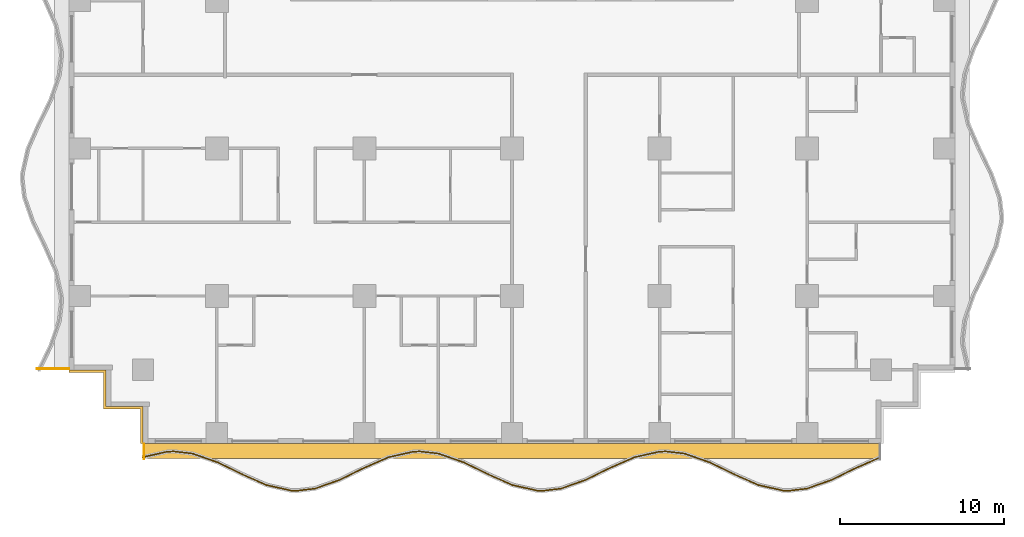
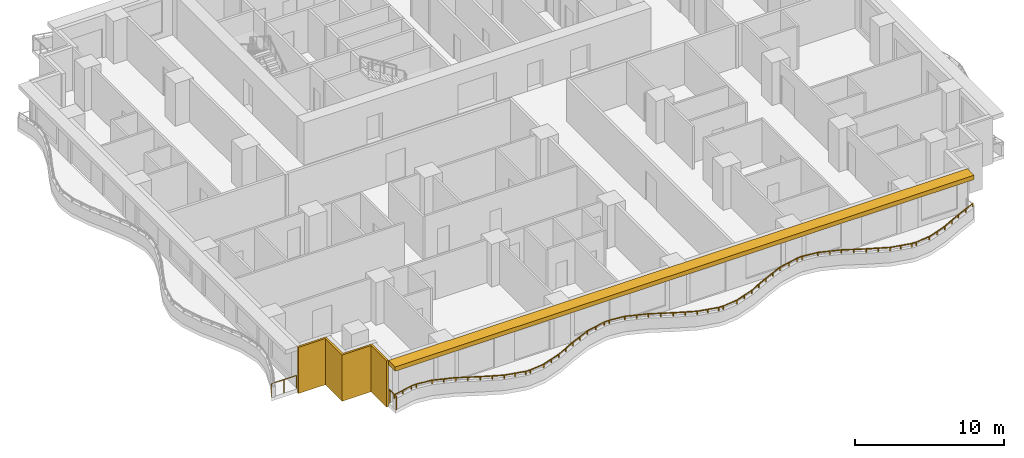
# One storey, part 7 of 13: 3 railings, 2 shading devices.
"""IFC4 building model written with IfcOpenShell, lengths in metres."""

from ifc_helpers import new_model, si_unit, direction, frame, origin, origin_2d, place, context, subcontext, project, spatial, polyline, rectangle, outline, extrude, material, layer, layer_set, type_object, element, save


model = new_model("IFC4")

# Units and contexts
model_context = context("Model", 3, precision=1e-05, world=origin(), true_north=direction((0.0, 1.0)))
body_context = subcontext(model_context, "Body", "Model", "MODEL_VIEW")
ifc_project = project(units=[si_unit("LENGTHUNIT", "METRE"), si_unit("AREAUNIT", "SQUARE_METRE"), si_unit("VOLUMEUNIT", "CUBIC_METRE"), si_unit("PLANEANGLEUNIT", "RADIAN"), si_unit("MASSUNIT", "GRAM", prefix="KILO")], contexts=[model_context])

# Site, building, storey
site_placement = place(None, origin())
site = spatial("IfcSite", under=ifc_project, at=site_placement, CompositionType="ELEMENT")
building_placement = place(site_placement, origin())
building = spatial("IfcBuilding", under=site, at=building_placement, Name="Orbiselva Terraces", CompositionType="ELEMENT")
storey_placement = place(building_placement, frame((0.0, 0.0, 96.0)))
storey = spatial("IfcBuildingStorey", under=building, at=storey_placement, Name="L24", CompositionType="ELEMENT", Elevation=96.0)

# Railings
ifc_material_1 = material(Name="Bonded two-ply safety glass balustrade, stainless steel posts", Category="steel")
railing_type_1 = type_object("IfcRailingType", Name="ENV-BALUSTRADE-1200", PredefinedType="BALUSTRADE", material=ifc_material_1)
railing_1_placement = place(storey_placement, frame((-22.527377, -23.329507, 0.9)))
element("IfcRailing", 1, at=railing_1_placement, inside=storey, type_object=railing_type_1, Name="Balcony balustrade L24 S", PredefinedType="BALUSTRADE", context=body_context, shape_type="SweptSolid", body=[
    extrude(outline(polyline([(0.028868, 0.0), (0.014434, 0.025), (-0.014434, 0.025), (-0.028868, 0.0), (-0.014434, -0.025), (0.014434, -0.025), (0.028868, 0.0)])), frame((0.0, 0.0, 0.275), z_axis=(0.97572138316, 0.219015484484, 0.0), x_axis=(-0.219015484484, 0.97572138316, 0.0)), (0.0, 0.0, 1.0), 1.548694),
    extrude(outline(polyline([(0.028868, 0.0), (0.014434, 0.025), (-0.014434, 0.025), (-0.028868, 0.0), (-0.014434, -0.025), (0.014434, -0.025), (0.028868, 0.0)])), frame((1.511094, 0.339188, 0.275), z_axis=(0.999224734286, 0.03936915532, 0.0), x_axis=(-0.03936915532, 0.999224734286, 0.0)), (0.0, 0.0, 1.0), 0.396376),
    extrude(outline(polyline([(0.028868, 0.0), (0.014434, 0.025), (-0.014434, 0.025), (-0.028868, 0.0), (-0.014434, -0.025), (0.014434, -0.025), (0.028868, 0.0)])), frame((1.907163, 0.354793, 0.275), z_axis=(0.993309551734, -0.115482182324, 0.0), x_axis=(0.115482182324, 0.993309551734, 0.0)), (0.0, 0.0, 1.0), 1.156135),
    extrude(outline(polyline([(0.028868, 0.0), (0.014434, 0.025), (-0.014434, 0.025), (-0.028868, 0.0), (-0.014434, -0.025), (0.014434, -0.025), (0.028868, 0.0)])), frame((3.055563, 0.22128, 0.275), z_axis=(0.943972332783, -0.330024597479, 0.0), x_axis=(0.330024597479, 0.943972332783, 0.0)), (0.0, 0.0, 1.0), 1.610253),
    extrude(outline(polyline([(0.028868, 0.0), (0.014434, 0.025), (-0.014434, 0.025), (-0.028868, 0.0), (-0.014434, -0.025), (0.014434, -0.025), (0.028868, 0.0)])), frame((4.575597, -0.310143, 0.275), z_axis=(0.898578870221, -0.438812048596, 0.0), x_axis=(0.438812048596, 0.898578870221, 0.0)), (0.0, 0.0, 1.0), 1.674225),
    extrude(outline(polyline([(0.028868, 0.0), (0.014434, 0.025), (-0.014434, 0.025), (-0.028868, 0.0), (-0.014434, -0.025), (0.014434, -0.025), (0.028868, 0.0)])), frame((6.08002, -1.044813, 0.275), z_axis=(0.915133363686, -0.403151245402, 0.0), x_axis=(0.403151245402, 0.915133363686, 0.0)), (0.0, 0.0, 1.0), 1.624475),
    extrude(outline(polyline([(0.028868, 0.0), (0.014434, 0.025), (-0.014434, 0.025), (-0.028868, 0.0), (-0.014434, -0.025), (0.014434, -0.025), (0.028868, 0.0)])), frame((7.566631, -1.699722, 0.275), z_axis=(0.975721325753, -0.219015740235, 0.0), x_axis=(0.219015740235, 0.975721325753, 0.0)), (0.0, 0.0, 1.0), 1.513782),
    extrude(outline(polyline([(0.028868, 0.0), (0.014434, 0.025), (-0.014434, 0.025), (-0.028868, 0.0), (-0.014434, -0.025), (0.014434, -0.025), (0.028868, 0.0)])), frame((9.04366, -2.031264, 0.275), z_axis=(0.999224931454, -0.039364150694, 0.0), x_axis=(0.039364150694, 0.999224931454, 0.0)), (0.0, 0.0, 1.0), 0.354206),
    extrude(outline(polyline([(0.028868, 0.0), (0.014434, 0.025), (-0.014434, 0.025), (-0.028868, 0.0), (-0.014434, -0.025), (0.014434, -0.025), (0.028868, 0.0)])), frame((9.397591, -2.045207, 0.275), z_axis=(0.993309658409, 0.115481264762, 0.0), x_axis=(-0.115481264762, 0.993309658409, 0.0)), (0.0, 0.0, 1.0), 1.10902),
    extrude(outline(polyline([(0.028868, 0.0), (0.014434, 0.025), (-0.014434, 0.025), (-0.028868, 0.0), (-0.014434, -0.025), (0.014434, -0.025), (0.028868, 0.0)])), frame((10.499191, -1.917136, 0.275), z_axis=(0.943972277814, 0.330024754707, 0.0), x_axis=(-0.330024754707, 0.943972277814, 0.0)), (0.0, 0.0, 1.0), 1.567807),
    extrude(outline(polyline([(0.028868, 0.0), (0.014434, 0.025), (-0.014434, 0.025), (-0.028868, 0.0), (-0.014434, -0.025), (0.014434, -0.025), (0.028868, 0.0)])), frame((11.979157, -1.399721, 0.275), z_axis=(0.89857890432, 0.438811978768, 0.0), x_axis=(-0.438811978768, 0.89857890432, 0.0)), (0.0, 0.0, 1.0), 1.66438),
    extrude(outline(polyline([(0.028868, 0.0), (0.014434, 0.025), (-0.014434, 0.025), (-0.028868, 0.0), (-0.014434, -0.025), (0.014434, -0.025), (0.028868, 0.0)])), frame((13.474734, -0.669371, 0.275), z_axis=(0.915133527237, 0.403150874148, 0.0), x_axis=(-0.403150874148, 0.915133527237, 0.0)), (0.0, 0.0, 1.0), 1.653736),
    extrude(outline(polyline([(0.028868, 0.0), (0.014434, 0.025), (-0.014434, 0.025), (-0.028868, 0.0), (-0.014434, -0.025), (0.014434, -0.025), (0.028868, 0.0)])), frame((14.988123, -0.002666, 0.275), z_axis=(0.97572137947, 0.219015500924, 0.0), x_axis=(-0.219015500924, 0.97572137947, 0.0)), (0.0, 0.0, 1.0), 1.560867),
    extrude(outline(polyline([(0.028868, 0.0), (0.014434, 0.025), (-0.014434, 0.025), (-0.028868, 0.0), (-0.014434, -0.025), (0.014434, -0.025), (0.028868, 0.0)])), frame((16.511094, 0.339188, 0.275), z_axis=(0.999224734286, 0.03936915532, 0.0), x_axis=(-0.03936915532, 0.999224734286, 0.0)), (0.0, 0.0, 1.0), 0.396376),
    extrude(outline(polyline([(0.028868, 0.0), (0.014434, 0.025), (-0.014434, 0.025), (-0.028868, 0.0), (-0.014434, -0.025), (0.014434, -0.025), (0.028868, 0.0)])), frame((16.907163, 0.354793, 0.275), z_axis=(0.993309551734, -0.115482182324, 0.0), x_axis=(0.115482182324, 0.993309551734, 0.0)), (0.0, 0.0, 1.0), 1.156135),
    extrude(outline(polyline([(0.028868, 0.0), (0.014434, 0.025), (-0.014434, 0.025), (-0.028868, 0.0), (-0.014434, -0.025), (0.014434, -0.025), (0.028868, 0.0)])), frame((18.055563, 0.22128, 0.275), z_axis=(0.943972332783, -0.330024597479, 0.0), x_axis=(0.330024597479, 0.943972332783, 0.0)), (0.0, 0.0, 1.0), 1.610253),
    extrude(outline(polyline([(0.028868, 0.0), (0.014434, 0.025), (-0.014434, 0.025), (-0.028868, 0.0), (-0.014434, -0.025), (0.014434, -0.025), (0.028868, 0.0)])), frame((19.575597, -0.310143, 0.275), z_axis=(0.898578870221, -0.438812048596, 0.0), x_axis=(0.438812048596, 0.898578870221, 0.0)), (0.0, 0.0, 1.0), 1.674225),
    extrude(outline(polyline([(0.028868, 0.0), (0.014434, 0.025), (-0.014434, 0.025), (-0.028868, 0.0), (-0.014434, -0.025), (0.014434, -0.025), (0.028868, 0.0)])), frame((21.08002, -1.044813, 0.275), z_axis=(0.915133363686, -0.403151245402, 0.0), x_axis=(0.403151245402, 0.915133363686, 0.0)), (0.0, 0.0, 1.0), 1.624475),
    extrude(outline(polyline([(0.028868, 0.0), (0.014434, 0.025), (-0.014434, 0.025), (-0.028868, 0.0), (-0.014434, -0.025), (0.014434, -0.025), (0.028868, 0.0)])), frame((22.566631, -1.699722, 0.275), z_axis=(0.975721325753, -0.219015740235, 0.0), x_axis=(0.219015740235, 0.975721325753, 0.0)), (0.0, 0.0, 1.0), 1.513782),
    extrude(outline(polyline([(0.028868, 0.0), (0.014434, 0.025), (-0.014434, 0.025), (-0.028868, 0.0), (-0.014434, -0.025), (0.014434, -0.025), (0.028868, 0.0)])), frame((24.04366, -2.031264, 0.275), z_axis=(0.999224931454, -0.039364150694, 0.0), x_axis=(0.039364150694, 0.999224931454, 0.0)), (0.0, 0.0, 1.0), 0.354206),
    extrude(outline(polyline([(0.028868, 0.0), (0.014434, 0.025), (-0.014434, 0.025), (-0.028868, 0.0), (-0.014434, -0.025), (0.014434, -0.025), (0.028868, 0.0)])), frame((24.397591, -2.045207, 0.275), z_axis=(0.993309658409, 0.115481264762, 0.0), x_axis=(-0.115481264762, 0.993309658409, 0.0)), (0.0, 0.0, 1.0), 1.10902),
    extrude(outline(polyline([(0.028868, 0.0), (0.014434, 0.025), (-0.014434, 0.025), (-0.028868, 0.0), (-0.014434, -0.025), (0.014434, -0.025), (0.028868, 0.0)])), frame((25.499191, -1.917136, 0.275), z_axis=(0.943972277814, 0.330024754707, 0.0), x_axis=(-0.330024754707, 0.943972277814, 0.0)), (0.0, 0.0, 1.0), 1.567807),
    extrude(outline(polyline([(0.028868, 0.0), (0.014434, 0.025), (-0.014434, 0.025), (-0.028868, 0.0), (-0.014434, -0.025), (0.014434, -0.025), (0.028868, 0.0)])), frame((26.979157, -1.399721, 0.275), z_axis=(0.89857890432, 0.438811978768, 0.0), x_axis=(-0.438811978768, 0.89857890432, 0.0)), (0.0, 0.0, 1.0), 1.66438),
    extrude(outline(polyline([(0.028868, 0.0), (0.014434, 0.025), (-0.014434, 0.025), (-0.028868, 0.0), (-0.014434, -0.025), (0.014434, -0.025), (0.028868, 0.0)])), frame((28.474734, -0.669371, 0.275), z_axis=(0.915133527237, 0.403150874148, 0.0), x_axis=(-0.403150874148, 0.915133527237, 0.0)), (0.0, 0.0, 1.0), 1.653736),
    extrude(outline(polyline([(0.028868, 0.0), (0.014434, 0.025), (-0.014434, 0.025), (-0.028868, 0.0), (-0.014434, -0.025), (0.014434, -0.025), (0.028868, 0.0)])), frame((29.988123, -0.002666, 0.275), z_axis=(0.97572137947, 0.219015500924, 0.0), x_axis=(-0.219015500924, 0.97572137947, 0.0)), (0.0, 0.0, 1.0), 1.560867),
    extrude(outline(polyline([(0.028868, 0.0), (0.014434, 0.025), (-0.014434, 0.025), (-0.028868, 0.0), (-0.014434, -0.025), (0.014434, -0.025), (0.028868, 0.0)])), frame((31.511094, 0.339188, 0.275), z_axis=(0.999224734286, 0.03936915532, 0.0), x_axis=(-0.03936915532, 0.999224734286, 0.0)), (0.0, 0.0, 1.0), 0.396376),
    extrude(outline(polyline([(0.028868, 0.0), (0.014434, 0.025), (-0.014434, 0.025), (-0.028868, 0.0), (-0.014434, -0.025), (0.014434, -0.025), (0.028868, 0.0)])), frame((31.907163, 0.354793, 0.275), z_axis=(0.993309551734, -0.115482182324, 0.0), x_axis=(0.115482182324, 0.993309551734, 0.0)), (0.0, 0.0, 1.0), 1.156135),
    extrude(outline(polyline([(0.028868, 0.0), (0.014434, 0.025), (-0.014434, 0.025), (-0.028868, 0.0), (-0.014434, -0.025), (0.014434, -0.025), (0.028868, 0.0)])), frame((33.055563, 0.22128, 0.275), z_axis=(0.943972332783, -0.330024597479, 0.0), x_axis=(0.330024597479, 0.943972332783, 0.0)), (0.0, 0.0, 1.0), 1.610253),
    extrude(outline(polyline([(0.028868, 0.0), (0.014434, 0.025), (-0.014434, 0.025), (-0.028868, 0.0), (-0.014434, -0.025), (0.014434, -0.025), (0.028868, 0.0)])), frame((34.575597, -0.310143, 0.275), z_axis=(0.898578870221, -0.438812048596, 0.0), x_axis=(0.438812048596, 0.898578870221, 0.0)), (0.0, 0.0, 1.0), 1.674225),
    extrude(outline(polyline([(0.028868, 0.0), (0.014434, 0.025), (-0.014434, 0.025), (-0.028868, 0.0), (-0.014434, -0.025), (0.014434, -0.025), (0.028868, 0.0)])), frame((36.08002, -1.044813, 0.275), z_axis=(0.915133363686, -0.403151245402, 0.0), x_axis=(0.403151245402, 0.915133363686, 0.0)), (0.0, 0.0, 1.0), 1.624475),
    extrude(outline(polyline([(0.028868, 0.0), (0.014434, 0.025), (-0.014434, 0.025), (-0.028868, 0.0), (-0.014434, -0.025), (0.014434, -0.025), (0.028868, 0.0)])), frame((37.566631, -1.699722, 0.275), z_axis=(0.975721325753, -0.219015740235, 0.0), x_axis=(0.219015740235, 0.975721325753, 0.0)), (0.0, 0.0, 1.0), 1.513782),
    extrude(outline(polyline([(0.028868, 0.0), (0.014434, 0.025), (-0.014434, 0.025), (-0.028868, 0.0), (-0.014434, -0.025), (0.014434, -0.025), (0.028868, 0.0)])), frame((39.04366, -2.031264, 0.275), z_axis=(0.999224931454, -0.039364150694, 0.0), x_axis=(0.039364150694, 0.999224931454, 0.0)), (0.0, 0.0, 1.0), 0.354206),
    extrude(outline(polyline([(0.028868, 0.0), (0.014434, 0.025), (-0.014434, 0.025), (-0.028868, 0.0), (-0.014434, -0.025), (0.014434, -0.025), (0.028868, 0.0)])), frame((39.397591, -2.045207, 0.275), z_axis=(0.993309658409, 0.115481264762, 0.0), x_axis=(-0.115481264762, 0.993309658409, 0.0)), (0.0, 0.0, 1.0), 1.10902),
    extrude(outline(polyline([(0.028868, 0.0), (0.014434, 0.025), (-0.014434, 0.025), (-0.028868, 0.0), (-0.014434, -0.025), (0.014434, -0.025), (0.028868, 0.0)])), frame((40.499191, -1.917136, 0.275), z_axis=(0.943972277814, 0.330024754707, 0.0), x_axis=(-0.330024754707, 0.943972277814, 0.0)), (0.0, 0.0, 1.0), 1.567807),
    extrude(outline(polyline([(0.028868, 0.0), (0.014434, 0.025), (-0.014434, 0.025), (-0.028868, 0.0), (-0.014434, -0.025), (0.014434, -0.025), (0.028868, 0.0)])), frame((41.979157, -1.399721, 0.275), z_axis=(0.89857890432, 0.438811978768, 0.0), x_axis=(-0.438811978768, 0.89857890432, 0.0)), (0.0, 0.0, 1.0), 1.66438),
    extrude(outline(polyline([(0.028868, 0.0), (0.014434, 0.025), (-0.014434, 0.025), (-0.028868, 0.0), (-0.014434, -0.025), (0.014434, -0.025), (0.028868, 0.0)])), frame((43.474734, -0.669371, 0.275), z_axis=(0.915133394491, 0.403151175476, 0.0), x_axis=(-0.403151175476, 0.915133394491, 0.0)), (0.0, 0.0, 1.0), 1.641563),
    extrude(rectangle(XDim=0.05, YDim=0.05, at=origin_2d()), origin(), (0.0, 0.0, 1.0), 0.25),
    extrude(rectangle(XDim=0.05, YDim=0.05, at=origin_2d()), frame((0.755547, 0.169594, 0.0)), (0.0, 0.0, 1.0), 0.25),
    extrude(rectangle(XDim=0.05, YDim=0.05, at=origin_2d()), frame((1.511094, 0.339188, 0.0)), (0.0, 0.0, 1.0), 0.25),
    extrude(rectangle(XDim=0.05, YDim=0.05, at=origin_2d()), frame((1.907163, 0.354793, 0.0)), (0.0, 0.0, 1.0), 0.25),
    extrude(rectangle(XDim=0.05, YDim=0.05, at=origin_2d()), frame((3.055563, 0.22128, 0.0)), (0.0, 0.0, 1.0), 0.25),
    extrude(rectangle(XDim=0.05, YDim=0.05, at=origin_2d()), frame((3.81558, -0.044431, 0.0)), (0.0, 0.0, 1.0), 0.25),
    extrude(rectangle(XDim=0.05, YDim=0.05, at=origin_2d()), frame((4.575597, -0.310143, 0.0)), (0.0, 0.0, 1.0), 0.25),
    extrude(rectangle(XDim=0.05, YDim=0.05, at=origin_2d()), frame((5.327809, -0.677478, 0.0)), (0.0, 0.0, 1.0), 0.25),
    extrude(rectangle(XDim=0.05, YDim=0.05, at=origin_2d()), frame((6.08002, -1.044813, 0.0)), (0.0, 0.0, 1.0), 0.25),
    extrude(rectangle(XDim=0.05, YDim=0.05, at=origin_2d()), frame((6.823326, -1.372268, 0.0)), (0.0, 0.0, 1.0), 0.25),
    extrude(rectangle(XDim=0.05, YDim=0.05, at=origin_2d()), frame((7.566631, -1.699722, 0.0)), (0.0, 0.0, 1.0), 0.25),
    extrude(rectangle(XDim=0.05, YDim=0.05, at=origin_2d()), frame((8.305146, -1.865493, 0.0)), (0.0, 0.0, 1.0), 0.25),
    extrude(rectangle(XDim=0.05, YDim=0.05, at=origin_2d()), frame((9.04366, -2.031264, 0.0)), (0.0, 0.0, 1.0), 0.25),
    extrude(rectangle(XDim=0.05, YDim=0.05, at=origin_2d()), frame((9.397591, -2.045207, 0.0)), (0.0, 0.0, 1.0), 0.25),
    extrude(rectangle(XDim=0.05, YDim=0.05, at=origin_2d()), frame((10.499191, -1.917136, 0.0)), (0.0, 0.0, 1.0), 0.25),
    extrude(rectangle(XDim=0.05, YDim=0.05, at=origin_2d()), frame((11.239174, -1.658428, 0.0)), (0.0, 0.0, 1.0), 0.25),
    extrude(rectangle(XDim=0.05, YDim=0.05, at=origin_2d()), frame((11.979157, -1.399721, 0.0)), (0.0, 0.0, 1.0), 0.25),
    extrude(rectangle(XDim=0.05, YDim=0.05, at=origin_2d()), frame((12.726946, -1.034546, 0.0)), (0.0, 0.0, 1.0), 0.25),
    extrude(rectangle(XDim=0.05, YDim=0.05, at=origin_2d()), frame((13.474734, -0.669371, 0.0)), (0.0, 0.0, 1.0), 0.25),
    extrude(rectangle(XDim=0.05, YDim=0.05, at=origin_2d()), frame((14.231429, -0.336019, 0.0)), (0.0, 0.0, 1.0), 0.25),
    extrude(rectangle(XDim=0.05, YDim=0.05, at=origin_2d()), frame((14.988123, -0.002666, 0.0)), (0.0, 0.0, 1.0), 0.25),
    extrude(rectangle(XDim=0.05, YDim=0.05, at=origin_2d()), frame((15.749608, 0.168261, 0.0)), (0.0, 0.0, 1.0), 0.25),
    extrude(rectangle(XDim=0.05, YDim=0.05, at=origin_2d()), frame((16.511094, 0.339188, 0.0)), (0.0, 0.0, 1.0), 0.25),
    extrude(rectangle(XDim=0.05, YDim=0.05, at=origin_2d()), frame((16.907163, 0.354793, 0.0)), (0.0, 0.0, 1.0), 0.25),
    extrude(rectangle(XDim=0.05, YDim=0.05, at=origin_2d()), frame((18.055563, 0.22128, 0.0)), (0.0, 0.0, 1.0), 0.25),
    extrude(rectangle(XDim=0.05, YDim=0.05, at=origin_2d()), frame((18.81558, -0.044431, 0.0)), (0.0, 0.0, 1.0), 0.25),
    extrude(rectangle(XDim=0.05, YDim=0.05, at=origin_2d()), frame((19.575597, -0.310143, 0.0)), (0.0, 0.0, 1.0), 0.25),
    extrude(rectangle(XDim=0.05, YDim=0.05, at=origin_2d()), frame((20.327809, -0.677478, 0.0)), (0.0, 0.0, 1.0), 0.25),
    extrude(rectangle(XDim=0.05, YDim=0.05, at=origin_2d()), frame((21.08002, -1.044813, 0.0)), (0.0, 0.0, 1.0), 0.25),
    extrude(rectangle(XDim=0.05, YDim=0.05, at=origin_2d()), frame((21.823326, -1.372268, 0.0)), (0.0, 0.0, 1.0), 0.25),
    extrude(rectangle(XDim=0.05, YDim=0.05, at=origin_2d()), frame((22.566631, -1.699722, 0.0)), (0.0, 0.0, 1.0), 0.25),
    extrude(rectangle(XDim=0.05, YDim=0.05, at=origin_2d()), frame((23.305146, -1.865493, 0.0)), (0.0, 0.0, 1.0), 0.25),
    extrude(rectangle(XDim=0.05, YDim=0.05, at=origin_2d()), frame((24.04366, -2.031264, 0.0)), (0.0, 0.0, 1.0), 0.25),
    extrude(rectangle(XDim=0.05, YDim=0.05, at=origin_2d()), frame((24.397591, -2.045207, 0.0)), (0.0, 0.0, 1.0), 0.25),
    extrude(rectangle(XDim=0.05, YDim=0.05, at=origin_2d()), frame((25.499191, -1.917136, 0.0)), (0.0, 0.0, 1.0), 0.25),
    extrude(rectangle(XDim=0.05, YDim=0.05, at=origin_2d()), frame((26.239174, -1.658428, 0.0)), (0.0, 0.0, 1.0), 0.25),
    extrude(rectangle(XDim=0.05, YDim=0.05, at=origin_2d()), frame((26.979157, -1.399721, 0.0)), (0.0, 0.0, 1.0), 0.25),
    extrude(rectangle(XDim=0.05, YDim=0.05, at=origin_2d()), frame((27.726946, -1.034546, 0.0)), (0.0, 0.0, 1.0), 0.25),
    extrude(rectangle(XDim=0.05, YDim=0.05, at=origin_2d()), frame((28.474734, -0.669371, 0.0)), (0.0, 0.0, 1.0), 0.25),
    extrude(rectangle(XDim=0.05, YDim=0.05, at=origin_2d()), frame((29.231428, -0.336019, 0.0)), (0.0, 0.0, 1.0), 0.25),
    extrude(rectangle(XDim=0.05, YDim=0.05, at=origin_2d()), frame((29.988123, -0.002666, 0.0)), (0.0, 0.0, 1.0), 0.25),
    extrude(rectangle(XDim=0.05, YDim=0.05, at=origin_2d()), frame((30.749608, 0.168261, 0.0)), (0.0, 0.0, 1.0), 0.25),
    extrude(rectangle(XDim=0.05, YDim=0.05, at=origin_2d()), frame((31.511094, 0.339188, 0.0)), (0.0, 0.0, 1.0), 0.25),
    extrude(rectangle(XDim=0.05, YDim=0.05, at=origin_2d()), frame((31.907163, 0.354793, 0.0)), (0.0, 0.0, 1.0), 0.25),
    extrude(rectangle(XDim=0.05, YDim=0.05, at=origin_2d()), frame((33.055563, 0.22128, 0.0)), (0.0, 0.0, 1.0), 0.25),
    extrude(rectangle(XDim=0.05, YDim=0.05, at=origin_2d()), frame((33.81558, -0.044431, 0.0)), (0.0, 0.0, 1.0), 0.25),
    extrude(rectangle(XDim=0.05, YDim=0.05, at=origin_2d()), frame((34.575597, -0.310143, 0.0)), (0.0, 0.0, 1.0), 0.25),
    extrude(rectangle(XDim=0.05, YDim=0.05, at=origin_2d()), frame((35.327808, -0.677478, 0.0)), (0.0, 0.0, 1.0), 0.25),
    extrude(rectangle(XDim=0.05, YDim=0.05, at=origin_2d()), frame((36.08002, -1.044813, 0.0)), (0.0, 0.0, 1.0), 0.25),
    extrude(rectangle(XDim=0.05, YDim=0.05, at=origin_2d()), frame((36.823326, -1.372268, 0.0)), (0.0, 0.0, 1.0), 0.25),
    extrude(rectangle(XDim=0.05, YDim=0.05, at=origin_2d()), frame((37.566631, -1.699722, 0.0)), (0.0, 0.0, 1.0), 0.25),
    extrude(rectangle(XDim=0.05, YDim=0.05, at=origin_2d()), frame((38.305146, -1.865493, 0.0)), (0.0, 0.0, 1.0), 0.25),
    extrude(rectangle(XDim=0.05, YDim=0.05, at=origin_2d()), frame((39.04366, -2.031264, 0.0)), (0.0, 0.0, 1.0), 0.25),
    extrude(rectangle(XDim=0.05, YDim=0.05, at=origin_2d()), frame((39.397591, -2.045207, 0.0)), (0.0, 0.0, 1.0), 0.25),
    extrude(rectangle(XDim=0.05, YDim=0.05, at=origin_2d()), frame((40.499191, -1.917136, 0.0)), (0.0, 0.0, 1.0), 0.25),
    extrude(rectangle(XDim=0.05, YDim=0.05, at=origin_2d()), frame((41.239174, -1.658428, 0.0)), (0.0, 0.0, 1.0), 0.25),
    extrude(rectangle(XDim=0.05, YDim=0.05, at=origin_2d()), frame((41.979157, -1.399721, 0.0)), (0.0, 0.0, 1.0), 0.25),
    extrude(rectangle(XDim=0.05, YDim=0.05, at=origin_2d()), frame((42.726946, -1.034546, 0.0)), (0.0, 0.0, 1.0), 0.25),
    extrude(rectangle(XDim=0.05, YDim=0.05, at=origin_2d()), frame((43.474734, -0.669371, 0.0)), (0.0, 0.0, 1.0), 0.25),
    extrude(rectangle(XDim=0.05, YDim=0.05, at=origin_2d()), frame((44.225858, -0.338472, 0.0)), (0.0, 0.0, 1.0), 0.25),
    extrude(rectangle(XDim=0.05, YDim=0.05, at=origin_2d()), frame((44.976983, -0.007573, 0.0)), (0.0, 0.0, 1.0), 0.25),
])
ifc_material_2 = material(Name="Stainless steel rail and posts", Category="steel")
railing_type_2 = type_object("IfcRailingType", Name="ENV-GUARD-1105", PredefinedType="BALUSTRADE", material=ifc_material_2)
railing_2_placement = place(storey_placement, frame((-22.44, -23.430416, 0.0)))
element("IfcRailing", 2, at=railing_2_placement, inside=storey, type_object=railing_type_2, Name="Balcony end guard L24 S", PredefinedType="BALUSTRADE", context=body_context, shape_type="SweptSolid", body=[
    extrude(outline(polyline([(0.028868, 0.0), (0.014434, 0.025), (-0.014434, 0.025), (-0.028868, 0.0), (-0.014434, -0.025), (0.014434, -0.025), (0.028868, 0.0)])), frame((0.0, 0.0, 1.08), z_axis=(0.0, 1.0, 0.0), x_axis=(-1.0, 0.0, 0.0)), (0.0, 0.0, 1.0), 0.905416),
    extrude(rectangle(XDim=0.05, YDim=0.05, at=origin_2d()), origin(), (0.0, 0.0, 1.0), 1.055),
    extrude(rectangle(XDim=0.05, YDim=0.05, at=origin_2d()), frame((0.0, 0.905416, 0.0)), (0.0, 0.0, 1.0), 1.055),
])
railing_3_placement = place(storey_placement, frame((-28.957877, -17.94, 0.0)))
element("IfcRailing", 3, at=railing_3_placement, inside=storey, type_object=railing_type_2, Name="Balcony end guard L24 W", PredefinedType="BALUSTRADE", context=body_context, shape_type="SweptSolid", body=[
    extrude(outline(polyline([(0.028868, 0.0), (0.014434, 0.025), (-0.014434, 0.025), (-0.028868, 0.0), (-0.014434, -0.025), (0.014434, -0.025), (0.028868, 0.0)])), frame((0.0, 0.0, 1.08), z_axis=(1.0, 0.0, 0.0), x_axis=(0.0, 1.0, 0.0)), (0.0, 0.0, 1.0), 1.932877),
    extrude(rectangle(XDim=0.05, YDim=0.05, at=origin_2d()), origin(), (0.0, 0.0, 1.0), 1.055),
    extrude(rectangle(XDim=0.05, YDim=0.05, at=origin_2d()), frame((0.966439, 0.0, 0.0)), (0.0, 0.0, 1.0), 1.055),
    extrude(rectangle(XDim=0.05, YDim=0.05, at=origin_2d()), frame((1.932877, 0.0, 0.0)), (0.0, 0.0, 1.0), 1.055),
])

# Shading devices
ifc_material_3 = material(Name="Terracotta louvre screen", Category="masonry")
ifc_layer_1 = layer(ifc_material_3, 0.15)
ifc_layer_set_1 = layer_set([ifc_layer_1], Name="Terracotta louvre screen")
shading_device_type_1 = type_object("IfcShadingDeviceType", Name="ENV-SCREEN-150", PredefinedType="USERDEFINED", material=ifc_layer_set_1)
shading_device_1_placement = place(storey_placement, frame((0.0, 0.0, -0.3)))
element("IfcShadingDevice", 4, at=shading_device_1_placement, inside=storey, type_object=shading_device_type_1, Name="Louvre screen L24 SW", ObjectType="SCREEN", PredefinedType="USERDEFINED", context=body_context, shape_type="SweptSolid", body=[
    extrude(outline(polyline([(-27.0, -18.15), (-24.9, -18.15), (-24.9, -20.4), (-22.65, -20.4), (-22.65, -22.5), (-22.5, -22.5), (-22.5, -20.25), (-24.75, -20.25), (-24.75, -18.0), (-27.0, -18.0), (-27.0, -18.15)])), origin(), (0.0, 0.0, 1.0), 3.8),
])
ifc_material_4 = material(Name="Terracotta baguette sunshade", Category="masonry")
ifc_layer_2 = layer(ifc_material_4, 0.35)
ifc_layer_set_2 = layer_set([ifc_layer_2], Name="Terracotta baguette sunshade")
shading_device_type_2 = type_object("IfcShadingDeviceType", Name="ENV-SUNSHADE-900x350", PredefinedType="USERDEFINED", material=ifc_layer_set_2)
shading_device_2_placement = place(storey_placement, frame((0.0, 0.0, 3.15)))
element("IfcShadingDevice", 5, at=shading_device_2_placement, inside=storey, type_object=shading_device_type_2, Name="Sunshade band L24 S", ObjectType="SUNSHADE", PredefinedType="USERDEFINED", context=body_context, shape_type="SweptSolid", body=[
    extrude(outline(polyline([(-22.5, -23.4), (22.5, -23.4), (22.5, -22.5), (-22.5, -22.5), (-22.5, -23.4)])), origin(), (0.0, 0.0, 1.0), 0.35),
])

save(model, "model.ifc")
